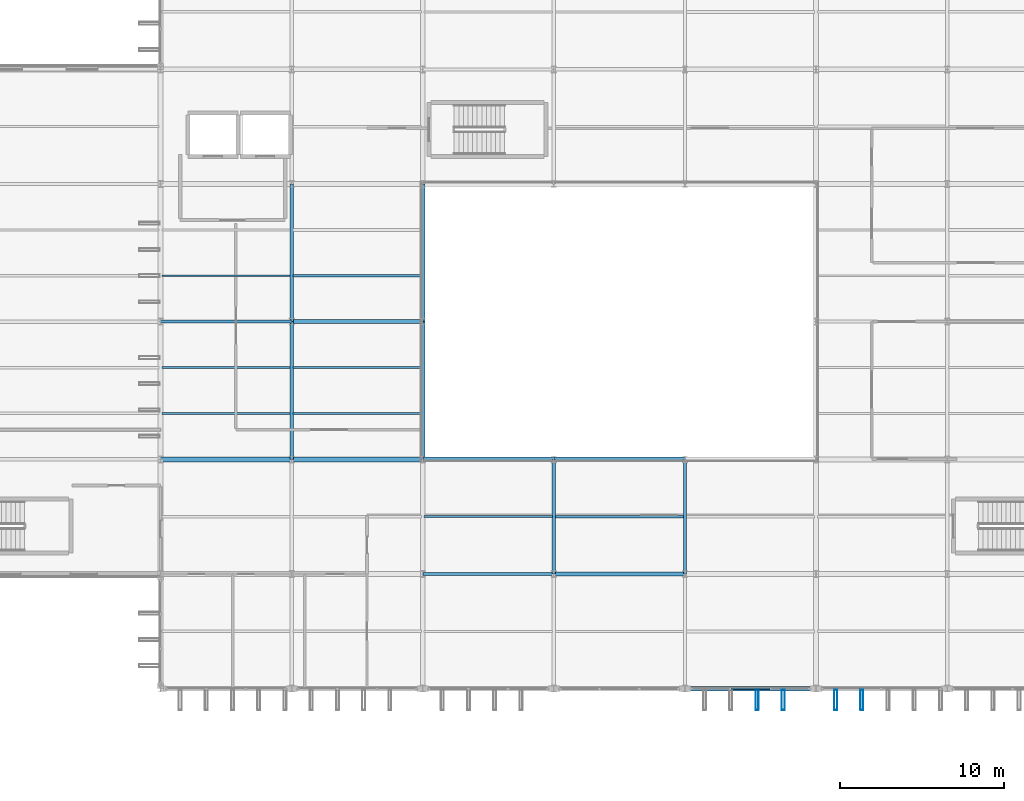
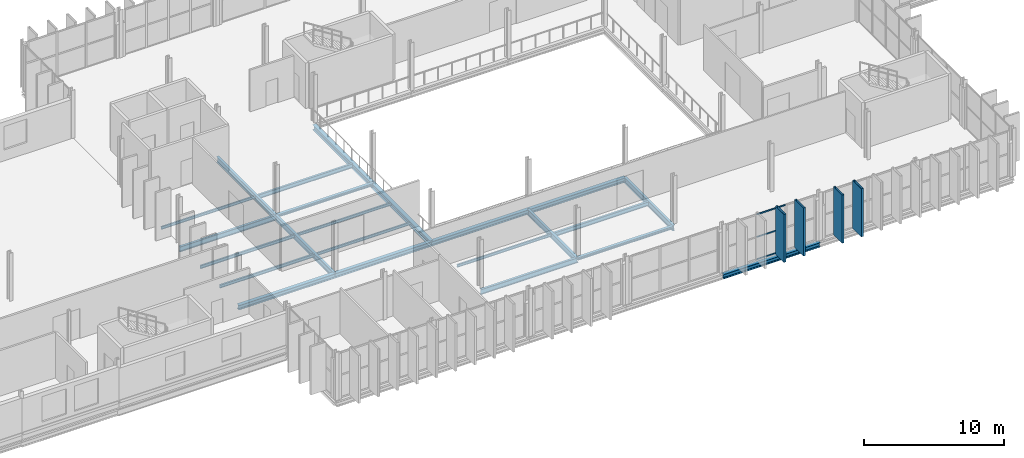
# One storey, part 30 of 101: 23 beams, 7 members, 1 element without a shape of its own.
"""IFC4 building model written with IfcOpenShell, lengths in metres."""

from ifc_helpers import new_model, si_unit, direction, frame, origin, origin_2d, place, context, subcontext, project, spatial, hollow_rectangle, i_section, extrude, material, layer, layer_set, material_profile, profile_set, type_object, element, aggregate, save


model = new_model("IFC4")

# Units and contexts
model_context = context("Model", 3, precision=1e-05, world=origin(), true_north=direction((0.0, 1.0)))
body_context = subcontext(model_context, "Body", "Model", "MODEL_VIEW")
ifc_project = project(units=[si_unit("LENGTHUNIT", "METRE"), si_unit("AREAUNIT", "SQUARE_METRE"), si_unit("VOLUMEUNIT", "CUBIC_METRE"), si_unit("PLANEANGLEUNIT", "RADIAN"), si_unit("MASSUNIT", "GRAM", prefix="KILO")], contexts=[model_context])

# Site, building, storey
site_placement = place(None, origin())
site = spatial("IfcSite", under=ifc_project, at=site_placement, CompositionType="ELEMENT")
building_placement = place(site_placement, origin())
building = spatial("IfcBuilding", under=site, at=building_placement, Name="Vekula Escarpment Museum", CompositionType="ELEMENT")
storey_placement = place(building_placement, frame((0.0, 0.0, 18.0)))
storey = spatial("IfcBuildingStorey", under=building, at=storey_placement, Name="L04", CompositionType="ELEMENT", Elevation=18.0)

# Beams
ifc_material_1 = material(Name="Steel S355", Category="steel")
ifc_material_profile_1 = material_profile(ifc_material_1, i_section(OverallWidth=0.18994140625, OverallDepth=0.449951171875, WebThickness=0.009521484375, FlangeThickness=0.0146484375, FilletRadius=0.02099609375, at=origin_2d()), Name="IPE 450")
ifc_profile_set_1 = profile_set([ifc_material_profile_1], Name="Steel S355")
beam_type_1 = type_object("IfcBeamType", Name="BM-GIRD-IPE450", PredefinedType="BEAM", material=ifc_profile_set_1)
for number, where, z_axis, x_axis, name in (
    (1, (86.0, 52.60009765625, -0.465087890625), (1.0, 0.0, 0.0), (0.0, 1.0, 0.0), "Beam X L04 1697"),
    (2, (70.0, 68.0, -0.465087890625), (1.0, 0.0, 0.0), (0.0, 1.0, 0.0), "Beam X L04 1730"),
):
    element("IfcBeam", number, at=place(storey_placement, frame(where, z_axis=z_axis, x_axis=x_axis)), inside=storey, type_object=beam_type_1, Name=name, PredefinedType="BEAM", context=body_context, shape_type="SweptSolid", body=[
        extrude(i_section(OverallWidth=0.18994140625, OverallDepth=0.449951171875, WebThickness=0.009521484375, FlangeThickness=0.0146484375, FilletRadius=0.02099609375, at=origin_2d()), origin(), (0.0, 0.0, 1.0), 8.0),
    ])
ifc_material_2 = material(Name="Steel S355", Category="steel")
ifc_material_profile_2 = material_profile(ifc_material_2, i_section(OverallWidth=0.199951171875, OverallDepth=0.5, WebThickness=0.01025390625, FlangeThickness=0.01611328125, FilletRadius=0.02099609375, at=origin_2d()), Name="IPE 500")
ifc_profile_set_2 = profile_set([ifc_material_profile_2], Name="Steel S355")
beam_type_2 = type_object("IfcBeamType", Name="BM-GIRD-IPE500", PredefinedType="BEAM", material=ifc_profile_set_2)
for number, where, z_axis, x_axis, name in (
    (3, (78.0, 59.60009765625, -0.489990234375), (0.0, 1.0, 0.0), (-1.0, 0.0, 0.0), "Beam Y L04 1881"),
    (4, (78.0, 68.0, -0.489990234375), (0.0, 1.0, 0.0), (-1.0, 0.0, 0.0), "Beam Y L04 1882"),
):
    element("IfcBeam", number, at=place(storey_placement, frame(where, z_axis=z_axis, x_axis=x_axis)), inside=storey, type_object=beam_type_2, Name=name, PredefinedType="BEAM", context=body_context, shape_type="SweptSolid", body=[
        extrude(i_section(OverallWidth=0.199951171875, OverallDepth=0.5, WebThickness=0.01025390625, FlangeThickness=0.01611328125, FilletRadius=0.02099609375, at=origin_2d()), origin(), (0.0, 0.0, 1.0), 8.39990234375),
    ])
for number, where, z_axis, x_axis, name in (
    (5, (94.0, 52.60009765625, -0.489990234375), (0.0, 1.0, 0.0), (-1.0, 0.0, 0.0), "Beam Y L04 1892"),
    (6, (102.0, 52.60009765625, -0.489990234375), (0.0, 1.0, 0.0), (-1.0, 0.0, 0.0), "Beam Y L04 1896"),
):
    element("IfcBeam", number, at=place(storey_placement, frame(where, z_axis=z_axis, x_axis=x_axis)), inside=storey, type_object=beam_type_2, Name=name, PredefinedType="BEAM", context=body_context, shape_type="SweptSolid", body=[
        extrude(i_section(OverallWidth=0.199951171875, OverallDepth=0.5, WebThickness=0.01025390625, FlangeThickness=0.01611328125, FilletRadius=0.02099609375, at=origin_2d()), origin(), (0.0, 0.0, 1.0), 7.0),
    ])
ifc_material_3 = material(Name="Steel S355", Category="steel")
ifc_material_profile_3 = material_profile(ifc_material_3, i_section(OverallWidth=0.1201171875, OverallDepth=0.239990234375, WebThickness=0.006103515625, FlangeThickness=0.009765625, FilletRadius=0.014892578125, at=origin_2d()), Name="IPE 240")
ifc_profile_set_3 = profile_set([ifc_material_profile_3], Name="Steel S355")
beam_type_3 = type_object("IfcBeamType", Name="BM-JST-IPE240", PredefinedType="JOIST", material=ifc_profile_set_3)
for number, where, z_axis, x_axis, name in (
    (7, (70.090087890625, 70.800048828125, -0.360107421875), (1.0, 0.0, 0.0), (0.0, 1.0, 0.0), "Secondary Joist L04 1201"),
    (8, (78.090087890625, 62.39990234375, -0.360107421875), (1.0, 0.0, 0.0), (0.0, 1.0, 0.0), "Secondary Joist L04 1206"),
    (9, (78.090087890625, 65.199951171875, -0.360107421875), (1.0, 0.0, 0.0), (0.0, 1.0, 0.0), "Secondary Joist L04 1207"),
    (10, (86.090087890625, 56.10009765625, -0.360107421875), (1.0, 0.0, 0.0), (0.0, 1.0, 0.0), "Secondary Joist L04 1213"),
):
    element("IfcBeam", number, at=place(storey_placement, frame(where, z_axis=z_axis, x_axis=x_axis)), inside=storey, type_object=beam_type_3, Name=name, PredefinedType="JOIST", context=body_context, shape_type="SweptSolid", body=[
        extrude(i_section(OverallWidth=0.1201171875, OverallDepth=0.239990234375, WebThickness=0.006103515625, FlangeThickness=0.009765625, FilletRadius=0.014892578125, at=origin_2d()), origin(), (0.0, 0.0, 1.0), 7.81982421875),
    ])
ifc_material_4 = material(Name="Steel S355", Category="steel")
ifc_material_profile_4 = material_profile(ifc_material_4, i_section(OverallWidth=0.135009765625, OverallDepth=0.27001953125, WebThickness=0.006591796875, FlangeThickness=0.01025390625, FilletRadius=0.014892578125, at=origin_2d()), Name="IPE 270")
ifc_profile_set_4 = profile_set([ifc_material_profile_4], Name="Steel S355")
beam_type_4 = type_object("IfcBeamType", Name="BM-JST-IPE270", PredefinedType="JOIST", material=ifc_profile_set_4)
for number, where, z_axis, x_axis, name in (
    (11, (70.090087890625, 62.39990234375, -0.375), (1.0, 0.0, 0.0), (0.0, 1.0, 0.0), "Secondary Joist L04 1199"),
    (12, (70.090087890625, 65.199951171875, -0.375), (1.0, 0.0, 0.0), (0.0, 1.0, 0.0), "Secondary Joist L04 1200"),
):
    element("IfcBeam", number, at=place(storey_placement, frame(where, z_axis=z_axis, x_axis=x_axis)), inside=storey, type_object=beam_type_4, Name=name, PredefinedType="JOIST", context=body_context, shape_type="SweptSolid", body=[
        extrude(i_section(OverallWidth=0.135009765625, OverallDepth=0.27001953125, WebThickness=0.006591796875, FlangeThickness=0.01025390625, FilletRadius=0.014892578125, at=origin_2d()), origin(), (0.0, 0.0, 1.0), 7.81982421875),
    ])
ifc_material_5 = material(Name="Steel S355", Category="steel")
ifc_material_profile_5 = material_profile(ifc_material_5, i_section(OverallWidth=0.169921875, OverallDepth=0.360107421875, WebThickness=0.008056640625, FlangeThickness=0.0126953125, FilletRadius=0.01806640625, at=origin_2d()), Name="IPE 360")
ifc_profile_set_5 = profile_set([ifc_material_profile_5], Name="Steel S355")
beam_type_5 = type_object("IfcBeamType", Name="BM-JST-IPE360", PredefinedType="JOIST", material=ifc_profile_set_5)
for number, where, z_axis, x_axis, name in (
    (13, (78.090087890625, 70.800048828125, -0.419921875), (1.0, 0.0, 0.0), (0.0, 1.0, 0.0), "Secondary Joist L04 1208"),
    (14, (94.090087890625, 56.10009765625, -0.419921875), (1.0, 0.0, 0.0), (0.0, 1.0, 0.0), "Secondary Joist L04 1216"),
):
    element("IfcBeam", number, at=place(storey_placement, frame(where, z_axis=z_axis, x_axis=x_axis)), inside=storey, type_object=beam_type_5, Name=name, PredefinedType="JOIST", context=body_context, shape_type="SweptSolid", body=[
        extrude(i_section(OverallWidth=0.169921875, OverallDepth=0.360107421875, WebThickness=0.008056640625, FlangeThickness=0.0126953125, FilletRadius=0.01806640625, at=origin_2d()), origin(), (0.0, 0.0, 1.0), 7.81982421875),
    ])
ifc_material_6 = material(Name="Steel S355", Category="steel")
ifc_material_profile_6 = material_profile(ifc_material_6, i_section(OverallWidth=0.239990234375, OverallDepth=0.22998046875, WebThickness=0.007568359375, FlangeThickness=0.011962890625, FilletRadius=0.02099609375, at=origin_2d()), Name="HEA 240")
ifc_profile_set_6 = profile_set([ifc_material_profile_6], Name="Steel S355")
beam_type_6 = type_object("IfcBeamType", Name="BM-SPAN-HEA240", PredefinedType="SPANDREL", material=ifc_profile_set_6)
for number, where, z_axis, x_axis, name in (
    (15, (94.0, 52.60009765625, -0.35498046875), (1.0, 0.0, 0.0), (0.0, 1.0, 0.0), "Beam X L04 1698"),
    (16, (78.0, 68.0, -0.35498046875), (1.0, 0.0, 0.0), (0.0, 1.0, 0.0), "Beam X L04 1731"),
):
    element("IfcBeam", number, at=place(storey_placement, frame(where, z_axis=z_axis, x_axis=x_axis)), inside=storey, type_object=beam_type_6, Name=name, PredefinedType="SPANDREL", context=body_context, shape_type="SweptSolid", body=[
        extrude(i_section(OverallWidth=0.239990234375, OverallDepth=0.22998046875, WebThickness=0.007568359375, FlangeThickness=0.011962890625, FilletRadius=0.02099609375, at=origin_2d()), origin(), (0.0, 0.0, 1.0), 8.0),
    ])
ifc_material_7 = material(Name="Steel S355", Category="steel")
ifc_material_profile_7 = material_profile(ifc_material_7, i_section(OverallWidth=0.300048828125, OverallDepth=0.389892578125, WebThickness=0.010986328125, FlangeThickness=0.01904296875, FilletRadius=0.027099609375, at=origin_2d()), Name="HEA 400")
ifc_profile_set_7 = profile_set([ifc_material_profile_7], Name="Steel S355")
beam_type_7 = type_object("IfcBeamType", Name="BM-SPAN-HEA400", PredefinedType="SPANDREL", material=ifc_profile_set_7)
for number, where, z_axis, x_axis, name in (
    (17, (102.0, 45.60009765625, -0.43505859375), (1.0, 0.0, 0.0), (0.0, 1.0, 0.0), "Beam X L04 1687"),
    (18, (70.0, 59.60009765625, -0.43505859375), (1.0, 0.0, 0.0), (0.0, 1.0, 0.0), "Beam X L04 1712"),
    (19, (78.0, 59.60009765625, -0.43505859375), (1.0, 0.0, 0.0), (0.0, 1.0, 0.0), "Beam X L04 1713"),
    (20, (86.0, 59.60009765625, -0.43505859375), (1.0, 0.0, 0.0), (0.0, 1.0, 0.0), "Beam X L04 1714"),
    (21, (94.0, 59.60009765625, -0.43505859375), (1.0, 0.0, 0.0), (0.0, 1.0, 0.0), "Beam X L04 1715"),
):
    element("IfcBeam", number, at=place(storey_placement, frame(where, z_axis=z_axis, x_axis=x_axis)), inside=storey, type_object=beam_type_7, Name=name, PredefinedType="SPANDREL", context=body_context, shape_type="SweptSolid", body=[
        extrude(i_section(OverallWidth=0.300048828125, OverallDepth=0.389892578125, WebThickness=0.010986328125, FlangeThickness=0.01904296875, FilletRadius=0.027099609375, at=origin_2d()), origin(), (0.0, 0.0, 1.0), 8.0),
    ])
ifc_material_8 = material(Name="Steel S355", Category="steel")
ifc_material_profile_8 = material_profile(ifc_material_8, i_section(OverallWidth=0.300048828125, OverallDepth=0.43994140625, WebThickness=0.011474609375, FlangeThickness=0.02099609375, FilletRadius=0.027099609375, at=origin_2d()), Name="HEA 450")
ifc_profile_set_8 = profile_set([ifc_material_profile_8], Name="Steel S355")
beam_type_8 = type_object("IfcBeamType", Name="BM-SPAN-HEA450", PredefinedType="SPANDREL", material=ifc_profile_set_8)
for number, where, z_axis, x_axis, name in (
    (22, (86.0, 59.60009765625, -0.4599609375), (0.0, 1.0, 0.0), (-1.0, 0.0, 0.0), "Beam Y L04 1887"),
    (23, (86.0, 68.0, -0.4599609375), (0.0, 1.0, 0.0), (-1.0, 0.0, 0.0), "Beam Y L04 1888"),
):
    element("IfcBeam", number, at=place(storey_placement, frame(where, z_axis=z_axis, x_axis=x_axis)), inside=storey, type_object=beam_type_8, Name=name, PredefinedType="SPANDREL", context=body_context, shape_type="SweptSolid", body=[
        extrude(i_section(OverallWidth=0.300048828125, OverallDepth=0.43994140625, WebThickness=0.011474609375, FlangeThickness=0.02099609375, FilletRadius=0.027099609375, at=origin_2d()), origin(), (0.0, 0.0, 1.0), 8.39990234375),
    ])

# Curtain wall, members
ifc_material_9 = material(Name="Aluminium thermally broken framing", Category="aluminium")
ifc_layer = layer(ifc_material_9, 0.139892578125)
ifc_layer_set = layer_set([ifc_layer], Name="Aluminium thermally broken framing")
curtain_wall_type = type_object("IfcCurtainWallType", Name="CW-SYS-06", PredefinedType="NOTDEFINED", material=ifc_layer_set)
curtain_wall_placement = place(storey_placement, origin())
curtain_wall = element("IfcCurtainWall", 24, at=curtain_wall_placement, inside=storey, type_object=curtain_wall_type, Name="Curtain Wall CW-L04-136", PredefinedType="NOTDEFINED")
ifc_material_10 = material(Name="Aluminium anodized transom", Category="aluminium")
ifc_material_profile_9 = material_profile(ifc_material_10, hollow_rectangle(XDim=0.06005859375, YDim=0.1201171875, WallThickness=0.00390625, InnerFilletRadius=0.00390625, OuterFilletRadius=0.008056640625, at=origin_2d()), Name="ALU 120x60x4")
ifc_profile_set_9 = profile_set([ifc_material_profile_9], Name="Aluminium anodized transom")
member_type_1 = type_object("IfcMemberType", Name="CW-TRN-120", PredefinedType="USERDEFINED", material=ifc_profile_set_9)
member_1_placement = place(storey_placement, frame((104.816650390625, 45.60009765625, 0.030029296875), z_axis=(1.0, 0.0, 0.0), x_axis=(0.0, 1.0, 0.0)))
member_1 = element("IfcMember", 25, at=member_1_placement, type_object=member_type_1, Name="CW-06 transom 2.1", ObjectType="TRANSOM", PredefinedType="USERDEFINED", context=body_context, shape_type="SweptSolid", body=[
    extrude(hollow_rectangle(XDim=0.06005859375, YDim=0.1201171875, WallThickness=0.00390625, InnerFilletRadius=0.00390625, OuterFilletRadius=0.008056640625, at=origin_2d()), origin(), (0.0, 0.0, 1.0), 2.36669921875),
])
member_2_placement = place(storey_placement, frame((104.816650390625, 45.60009765625, 1.989990234375), z_axis=(1.0, 0.0, 0.0), x_axis=(0.0, 1.0, 0.0)))
member_2 = element("IfcMember", 26, at=member_2_placement, type_object=member_type_1, Name="CW-06 transom 2.2", ObjectType="TRANSOM", PredefinedType="USERDEFINED", context=body_context, shape_type="SweptSolid", body=[
    extrude(hollow_rectangle(XDim=0.06005859375, YDim=0.1201171875, WallThickness=0.00390625, InnerFilletRadius=0.00390625, OuterFilletRadius=0.008056640625, at=origin_2d()), origin(), (0.0, 0.0, 1.0), 2.36669921875),
])
member_3_placement = place(storey_placement, frame((104.816650390625, 45.60009765625, 3.949951171875), z_axis=(1.0, 0.0, 0.0), x_axis=(0.0, 1.0, 0.0)))
member_3 = element("IfcMember", 27, at=member_3_placement, type_object=member_type_1, Name="CW-06 transom 2.3", ObjectType="TRANSOM", PredefinedType="USERDEFINED", context=body_context, shape_type="SweptSolid", body=[
    extrude(hollow_rectangle(XDim=0.06005859375, YDim=0.1201171875, WallThickness=0.00390625, InnerFilletRadius=0.00390625, OuterFilletRadius=0.008056640625, at=origin_2d()), origin(), (0.0, 0.0, 1.0), 2.36669921875),
])
aggregate(curtain_wall, [member_1, member_2, member_3])

# Members
ifc_material_11 = material(Name="Steel S355 weathered bronze solar fin", Category="steel")
ifc_material_profile_10 = material_profile(ifc_material_11, hollow_rectangle(XDim=0.179931640625, YDim=1.25, WallThickness=0.010009765625, InnerFilletRadius=0.010009765625, OuterFilletRadius=0.02001953125, at=origin_2d()), Name="RHS 1250x180x10")
ifc_profile_set_10 = profile_set([ifc_material_profile_10], Name="Steel S355 weathered bronze solar fin")
member_type_2 = type_object("IfcMemberType", Name="MB-SOLAR-FIN", PredefinedType="USERDEFINED", material=ifc_profile_set_10)
for number, where, z_axis, x_axis, name in (
    (28, (106.39990234375, 44.919921875, 0.0), (0.0, 0.0, 1.0), (1.0, 0.0, 0.0), "Great Hall Vertical Solar Fin 0079"),
    (29, (108.0, 44.919921875, 0.0), (0.0, 0.0, 1.0), (1.0, 0.0, 0.0), "Great Hall Vertical Solar Fin 0084"),
    (30, (111.199951171875, 44.919921875, 0.0), (0.0, 0.0, 1.0), (1.0, 0.0, 0.0), "Great Hall Vertical Solar Fin 0089"),
    (31, (112.800048828125, 44.919921875, 0.0), (0.0, 0.0, 1.0), (1.0, 0.0, 0.0), "Great Hall Vertical Solar Fin 0094"),
):
    element("IfcMember", number, at=place(storey_placement, frame(where, z_axis=z_axis, x_axis=x_axis)), inside=storey, type_object=member_type_2, Name=name, ObjectType="SOLAR FIN", PredefinedType="USERDEFINED", context=body_context, shape_type="SweptSolid", body=[
        extrude(hollow_rectangle(XDim=0.179931640625, YDim=1.25, WallThickness=0.010009765625, InnerFilletRadius=0.010009765625, OuterFilletRadius=0.02001953125, at=origin_2d()), origin(), (0.0, 0.0, 1.0), 4.199951171875),
    ])

save(model, "model.ifc")
